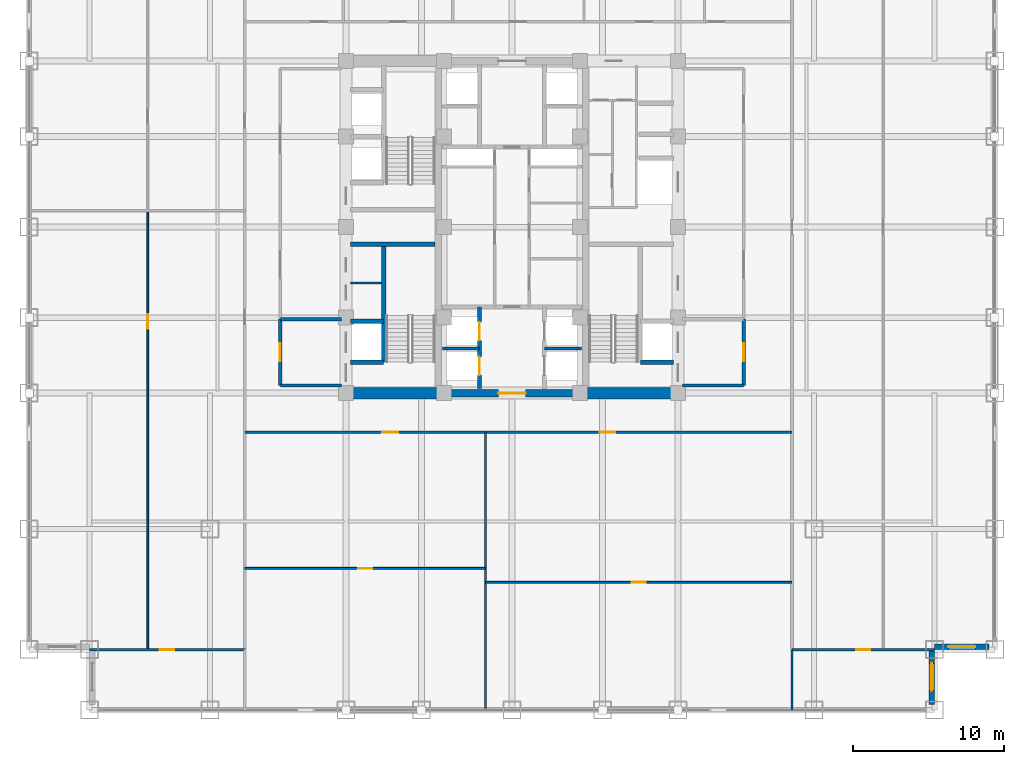
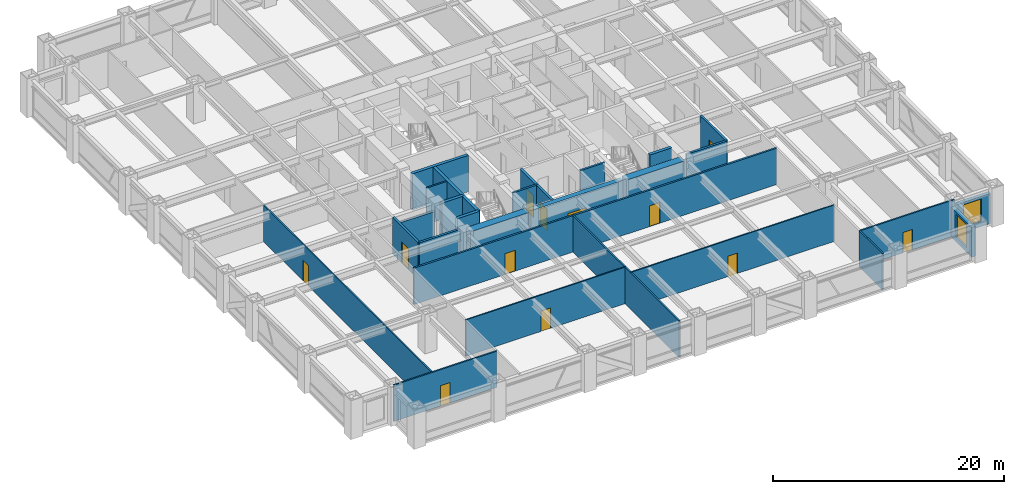
# One storey, part 23 of 27: 27 walls, 12 doors, 2 windows, 14 openings.
"""IFC4 building model written with IfcOpenShell, lengths in metres."""

from ifc_helpers import new_model, si_unit, direction, frame, frame_2d, origin, place, context, subcontext, project, spatial, rectangle, extrude, source, transform, mapped, material, layer, layer_set, type_object, element, fill, save


model = new_model("IFC4")

# Units and contexts
model_context = context("Model", 3, precision=1e-05, world=origin(), true_north=direction((0.0, 1.0)))
body_context = subcontext(model_context, "Body", "Model", "MODEL_VIEW")
ifc_project = project(units=[si_unit("LENGTHUNIT", "METRE"), si_unit("AREAUNIT", "SQUARE_METRE"), si_unit("VOLUMEUNIT", "CUBIC_METRE"), si_unit("PLANEANGLEUNIT", "RADIAN"), si_unit("MASSUNIT", "GRAM", prefix="KILO")], contexts=[model_context])

# Site, building, storey
site_placement = place(None, origin())
site = spatial("IfcSite", under=ifc_project, at=site_placement, CompositionType="ELEMENT")
building_placement = place(site_placement, origin())
building = spatial("IfcBuilding", under=site, at=building_placement, Name="Khorayat Bourse Tower", CompositionType="ELEMENT")
storey_placement = place(building_placement, frame((0.0, 0.0, 140.60009765625)))
storey = spatial("IfcBuildingStorey", under=building, at=storey_placement, Name="L32", CompositionType="ELEMENT", Elevation=140.60009765625)

# Walls
ifc_material_1 = material(Name="Concrete C72/90", Category="concrete")
ifc_layer_1 = layer(ifc_material_1, 0.75)
ifc_layer_set_1 = layer_set([ifc_layer_1], Name="Concrete C72/90")
wall_type_1 = type_object("IfcWallType", Name="WAL-CORE-750", PredefinedType="SHEAR", material=ifc_layer_set_1)
shared_shape_1 = source(origin(), body_context, "Body", "SweptSolid", [
    extrude(rectangle(XDim=5.849853515625, YDim=0.75, at=frame_2d((2.9248046875, 0.0))), origin(), (0.0, 0.0, 1.0), 3.83984375),
])
for number, where, z_axis, x_axis, name in (
    (1, (-10.699951171875, -11.0, 0.0), (0.0, 0.0, 1.0), (1.0, 0.0, 0.0), "L32 Core Shear Wall PIER-WS"),
    (2, (4.85009765625, -11.0, 0.0), (0.0, 0.0, 1.0), (1.0, 0.0, 0.0), "L32 Core Shear Wall PIER-ES"),
):
    element("IfcWall", number, at=place(storey_placement, frame(where, z_axis=z_axis, x_axis=x_axis)), inside=storey, type_object=wall_type_1, Name=name, PredefinedType="SHEAR", context=body_context, shape_type="MappedRepresentation", body=[
        mapped(shared_shape_1, transform((0.0, 0.0, 0.0), scale=1.0)),
    ])
ifc_material_2 = material(Name="Concrete C50/60", Category="concrete")
ifc_layer_2 = layer(ifc_material_2, 0.300048828125)
ifc_layer_set_2 = layer_set([ifc_layer_2], Name="Concrete C50/60")
wall_type_2 = type_object("IfcWallType", Name="WAL-SHAFT-300", PredefinedType="SHEAR", material=ifc_layer_set_2)
shared_shape_2 = source(origin(), body_context, "Body", "SweptSolid", [
    extrude(rectangle(XDim=5.599853515625, YDim=0.300048828125, at=frame_2d((2.7998046875, 0.0))), origin(), (0.0, 0.0, 1.0), 3.83984375),
])
wall_1_placement = place(storey_placement, frame((-10.699951171875, -1.14990234375, 0.0), z_axis=(0.0, 0.0, 1.0), x_axis=(1.0, 0.0, 0.0)))
element("IfcWall", 3, at=wall_1_placement, inside=storey, type_object=wall_type_2, Name="L32 Core Shear Wall ST1-DIV", PredefinedType="SHEAR", context=body_context, shape_type="MappedRepresentation", body=[
    mapped(shared_shape_2, transform((0.0, 0.0, 0.0), scale=1.0)),
])

# Wall, opening, door
ifc_material_3 = material(Name="Concrete C52/65", Category="concrete")
ifc_layer_3 = layer(ifc_material_3, 0.5)
ifc_layer_set_3 = layer_set([ifc_layer_3], Name="Concrete C52/65")
wall_type_3 = type_object("IfcWallType", Name="WAL-CORE-500", PredefinedType="SHEAR", material=ifc_layer_set_3)
shared_shape_3 = source(origin(), body_context, "Body", "SweptSolid", [
    extrude(rectangle(XDim=9.2001953125, YDim=0.5, at=frame_2d((4.60009765625, 0.0))), origin(), (0.0, 0.0, 1.0), 3.83984375),
])
wall_2_placement = place(storey_placement, frame((-4.60009765625, -11.0, 0.0), z_axis=(0.0, 0.0, 1.0), x_axis=(1.0, 0.0, 0.0)))
wall_2 = element("IfcWall", 4, at=wall_2_placement, inside=storey, type_object=wall_type_3, Name="L32 Core Shear Wall CORE-S", PredefinedType="SHEAR", context=body_context, shape_type="MappedRepresentation", body=[
    mapped(shared_shape_3, transform((0.0, 0.0, 0.0), scale=1.0)),
])
shared_shape_4 = source(origin(), body_context, "Body", "SweptSolid", [
    extrude(rectangle(XDim=1.800048828125, YDim=2.25, at=frame_2d((0.89990234375, 1.125))), frame((0.0, 0.260009765625, 0.0), z_axis=(0.0, -1.0, 0.0), x_axis=(1.0, 0.0, 0.0)), (0.0, 0.0, 1.0), 0.52001953125),
])
opening_1_placement = place(wall_2_placement, frame((3.699951171875, 0.0, 0.0)))
opening_1 = element("IfcOpeningElement", 5, at=opening_1_placement, cuts=wall_2, Name="Opening DI-03", PredefinedType="OPENING", context=body_context, shape_type="MappedRepresentation", body=[
    mapped(shared_shape_4, transform((0.0, 0.0, 0.0), scale=1.0)),
])
ifc_material_4 = material(Name="Fire-rated hardwood vision-panel double leaf", Category="wood")
door_type_1 = type_object("IfcDoorType", Name="DR-INT-CORR-1800", OperationType="NOTDEFINED", PredefinedType="DOOR", material=ifc_material_4)
shared_shape_5 = source(origin(), body_context, "Body", "SweptSolid", [
    extrude(rectangle(XDim=1.800048828125, YDim=2.25, at=frame_2d((0.89990234375, 1.125))), frame((0.0, 0.02490234375, 0.0), z_axis=(0.0, -1.0, 0.0), x_axis=(1.0, 0.0, 0.0)), (0.0, 0.0, 1.0), 0.050048828125),
])
door_1_placement = place(opening_1_placement, origin())
door_1 = element("IfcDoor", 6, at=door_1_placement, inside=storey, type_object=door_type_1, Name="L32 Low-Rise Lift Lobby Door", OperationType="SINGLE_SWING_LEFT", OverallHeight=2.25, OverallWidth=1.800048828125, PredefinedType="DOOR", context=body_context, shape_type="MappedRepresentation", body=[
    mapped(shared_shape_5, transform((0.0, 0.0, 0.0), scale=1.0)),
])
fill(opening_1, door_1)

# Wall, opening, window
ifc_material_5 = material(Name="Precast concrete C45/55", Category="concrete")
ifc_layer_4 = layer(ifc_material_5, 0.3798828125)
ifc_layer_set_4 = layer_set([ifc_layer_4], Name="Precast concrete C45/55")
wall_type_4 = type_object("IfcWallType", Name="WAL-EXT-STONE-380", PredefinedType="STANDARD", material=ifc_layer_set_4)
shared_shape_6 = source(origin(), body_context, "Body", "SweptSolid", [
    extrude(rectangle(XDim=3.6201171875, YDim=0.3798828125, at=frame_2d((1.81005859375, 0.0))), origin(), (0.0, 0.0, 1.0), 3.14501953125),
])
wall_3_placement = place(storey_placement, frame((27.81005859375, -31.6201171875, 0.0), z_axis=(0.0, 0.0, 1.0), x_axis=(0.0, 1.0, 0.0)))
wall_3 = element("IfcWall", 7, at=wall_3_placement, inside=storey, type_object=wall_type_4, Name="L32 Re-Entrant Notch Limestone Wall SE-V", PredefinedType="STANDARD", context=body_context, shape_type="MappedRepresentation", body=[
    mapped(shared_shape_6, transform((0.0, 0.0, 0.0), scale=1.0)),
])
shared_shape_7 = source(origin(), body_context, "Body", "SweptSolid", [
    extrude(rectangle(XDim=1.800048828125, YDim=2.39990234375, at=frame_2d((0.89990234375, 1.199951171875))), frame((0.0, 0.199951171875, 0.0), z_axis=(0.0, -1.0, 0.0), x_axis=(1.0, 0.0, 0.0)), (0.0, 0.0, 1.0), 0.39990234375),
])
opening_2_placement = place(wall_3_placement, frame((0.909912109375, 0.0, 0.5)))
opening_2 = element("IfcOpeningElement", 8, at=opening_2_placement, cuts=wall_3, Name="Opening WN-04", PredefinedType="OPENING", context=body_context, shape_type="MappedRepresentation", body=[
    mapped(shared_shape_7, transform((0.0, 0.0, 0.0), scale=1.0)),
])
ifc_material_6 = material(Name="Low-E acoustic laminated double glazing", Category="glass")
window_type = type_object("IfcWindowType", Name="WIN-NOTCH-1800x2400", PartitioningType="SINGLE_PANEL", PredefinedType="WINDOW", material=ifc_material_6)
shared_shape_8 = source(origin(), body_context, "Body", "SweptSolid", [
    extrude(rectangle(XDim=1.800048828125, YDim=2.39990234375, at=frame_2d((0.89990234375, 1.199951171875))), frame((0.0, 0.030029296875, 0.0), z_axis=(0.0, -1.0, 0.0), x_axis=(1.0, 0.0, 0.0)), (0.0, 0.0, 1.0), 0.06005859375),
])
window_1_placement = place(opening_2_placement, origin())
window_1 = element("IfcWindow", 9, at=window_1_placement, inside=storey, type_object=window_type, Name="L32 Facade Window 1", OverallHeight=2.39990234375, OverallWidth=1.800048828125, PartitioningType="SINGLE_PANEL", PredefinedType="WINDOW", context=body_context, shape_type="MappedRepresentation", body=[
    mapped(shared_shape_8, transform((0.0, 0.0, 0.0), scale=1.0)),
])
fill(opening_2, window_1)

wall_4_placement = place(storey_placement, frame((28.0, -27.81005859375, 0.0), z_axis=(0.0, 0.0, 1.0), x_axis=(1.0, 0.0, 0.0)))
wall_4 = element("IfcWall", 10, at=wall_4_placement, inside=storey, type_object=wall_type_4, Name="L32 Re-Entrant Notch Limestone Wall SE-H", PredefinedType="STANDARD", context=body_context, shape_type="MappedRepresentation", body=[
    mapped(shared_shape_6, transform((0.0, 0.0, 0.0), scale=1.0)),
])
opening_3_placement = place(wall_4_placement, frame((0.909912109375, 0.0, 0.5)))
opening_3 = element("IfcOpeningElement", 11, at=opening_3_placement, cuts=wall_4, Name="Opening WN-04", PredefinedType="OPENING", context=body_context, shape_type="MappedRepresentation", body=[
    mapped(shared_shape_7, transform((0.0, 0.0, 0.0), scale=1.0)),
])
window_2_placement = place(opening_3_placement, origin())
window_2 = element("IfcWindow", 12, at=window_2_placement, inside=storey, type_object=window_type, Name="L32 Facade Window 1", OverallHeight=2.39990234375, OverallWidth=1.800048828125, PartitioningType="SINGLE_PANEL", PredefinedType="WINDOW", context=body_context, shape_type="MappedRepresentation", body=[
    mapped(shared_shape_8, transform((0.0, 0.0, 0.0), scale=1.0)),
])
fill(opening_3, window_2)

# Walls
ifc_material_7 = material(Name="Aerated concrete blockwork", Category="masonry")
ifc_layer_5 = layer(ifc_material_7, 0.219970703125)
ifc_layer_set_5 = layer_set([ifc_layer_5], Name="Aerated concrete blockwork")
wall_type_5 = type_object("IfcWallType", Name="WAL-PART-FF-220", PredefinedType="PARTITIONING", material=ifc_layer_set_5)
shared_shape_9 = source(origin(), body_context, "Body", "SweptSolid", [
    extrude(rectangle(XDim=4.050048828125, YDim=0.219970703125, at=frame_2d((2.02490234375, 0.0))), origin(), (0.0, 0.0, 1.0), 3.06689453125),
])
wall_5_placement = place(storey_placement, frame((-15.35009765625, -6.10009765625, 0.0), z_axis=(0.0, 0.0, 1.0), x_axis=(1.0, 0.0, 0.0)))
element("IfcWall", 13, at=wall_5_placement, inside=storey, type_object=wall_type_5, Name="L32 Partition WAL-L32-FFLW-N", PredefinedType="PARTITIONING", context=body_context, shape_type="MappedRepresentation", body=[
    mapped(shared_shape_9, transform((0.0, 0.0, 0.0), scale=1.0)),
])
shared_shape_10 = source(origin(), body_context, "Body", "SweptSolid", [
    extrude(rectangle(XDim=7.800048828125, YDim=0.300048828125, at=frame_2d((3.89990234375, 0.0))), origin(), (0.0, 0.0, 1.0), 3.83984375),
])
wall_6_placement = place(storey_placement, frame((-8.5, -8.949951171875, 0.0), z_axis=(0.0, 0.0, 1.0), x_axis=(0.0, 1.0, 0.0)))
element("IfcWall", 14, at=wall_6_placement, inside=storey, type_object=wall_type_2, Name="L32 Partition WAL-L32-WPIER-SP", PredefinedType="SHEAR", context=body_context, shape_type="MappedRepresentation", body=[
    mapped(shared_shape_10, transform((0.0, 0.0, 0.0), scale=1.0)),
])
shared_shape_11 = source(origin(), body_context, "Body", "SweptSolid", [
    extrude(rectangle(XDim=2.199951171875, YDim=0.300048828125, at=frame_2d((1.10009765625, 0.0))), origin(), (0.0, 0.0, 1.0), 3.83984375),
])
for number, where, z_axis, x_axis, name in (
    (15, (-10.699951171875, -8.949951171875, 0.0), (0.0, 0.0, 1.0), (1.0, 0.0, 0.0), "L32 Partition WAL-L32-WPIER-FF1S"),
    (16, (-10.699951171875, -6.25, 0.0), (0.0, 0.0, 1.0), (1.0, 0.0, 0.0), "L32 Partition WAL-L32-WPIER-FF1N"),
    (17, (8.5, -8.949951171875, 0.0), (0.0, 0.0, 1.0), (1.0, 0.0, 0.0), "L32 Partition WAL-L32-EPIER-FF2S"),
):
    element("IfcWall", number, at=place(storey_placement, frame(where, z_axis=z_axis, x_axis=x_axis)), inside=storey, type_object=wall_type_2, Name=name, PredefinedType="SHEAR", context=body_context, shape_type="MappedRepresentation", body=[
        mapped(shared_shape_11, transform((0.0, 0.0, 0.0), scale=1.0)),
    ])
ifc_material_8 = material(Name="Gypsum plasterboard twin-frame partition")
ifc_layer_6 = layer(ifc_material_8, 0.14990234375)
ifc_layer_set_6 = layer_set([ifc_layer_6], Name="Gypsum plasterboard twin-frame partition")
wall_type_6 = type_object("IfcWallType", Name="WAL-PART-SUITE-150", PredefinedType="PARTITIONING", material=ifc_layer_set_6)
shared_shape_12 = source(origin(), body_context, "Body", "SweptSolid", [
    extrude(rectangle(XDim=2.050048828125, YDim=0.14990234375, at=frame_2d((1.02490234375, 0.0))), origin(), (0.0, 0.0, 1.0), 3.83984375),
])
wall_7_placement = place(storey_placement, frame((-10.699951171875, -3.699951171875, 0.0), z_axis=(0.0, 0.0, 1.0), x_axis=(1.0, 0.0, 0.0)))
element("IfcWall", 18, at=wall_7_placement, inside=storey, type_object=wall_type_6, Name="L32 Partition WAL-L32-WSRV-D1", PredefinedType="PARTITIONING", context=body_context, shape_type="MappedRepresentation", body=[
    mapped(shared_shape_12, transform((0.0, 0.0, 0.0), scale=1.0)),
])
shared_shape_13 = source(origin(), body_context, "Body", "SweptSolid", [
    extrude(rectangle(XDim=4.050048828125, YDim=0.219970703125, at=frame_2d((2.02490234375, 0.0))), origin(), (0.0, 0.0, 1.0), 3.83984375),
])
for number, where, z_axis, x_axis, name in (
    (19, (-15.35009765625, -10.5, 0.0), (0.0, 0.0, 1.0), (1.0, 0.0, 0.0), "L32 Partition WAL-L32-FFLW-S"),
    (20, (11.300048828125, -10.5, 0.0), (0.0, 0.0, 1.0), (1.0, 0.0, 0.0), "L32 Partition WAL-L32-FFLE-S"),
):
    element("IfcWall", number, at=place(storey_placement, frame(where, z_axis=z_axis, x_axis=x_axis)), inside=storey, type_object=wall_type_5, Name=name, PredefinedType="PARTITIONING", context=body_context, shape_type="MappedRepresentation", body=[
        mapped(shared_shape_13, transform((0.0, 0.0, 0.0), scale=1.0)),
    ])

# Wall, opening, door
shared_shape_14 = source(origin(), body_context, "Body", "SweptSolid", [
    extrude(rectangle(XDim=4.39990234375, YDim=0.219970703125, at=frame_2d((2.199951171875, 0.0))), origin(), (0.0, 0.0, 1.0), 3.83984375),
])
wall_8_placement = place(storey_placement, frame((-15.35009765625, -10.5, 0.0), z_axis=(0.0, 0.0, 1.0), x_axis=(0.0, 1.0, 0.0)))
wall_8 = element("IfcWall", 21, at=wall_8_placement, inside=storey, type_object=wall_type_5, Name="L32 Partition WAL-L32-FFLW-W", PredefinedType="PARTITIONING", context=body_context, shape_type="MappedRepresentation", body=[
    mapped(shared_shape_14, transform((0.0, 0.0, 0.0), scale=1.0)),
])
shared_shape_15 = source(origin(), body_context, "Body", "SweptSolid", [
    extrude(rectangle(XDim=1.199951171875, YDim=2.199951171875, at=frame_2d((0.60009765625, 1.10009765625))), frame((0.0, 0.119873046875, 0.0), z_axis=(0.0, -1.0, 0.0), x_axis=(1.0, 0.0, 0.0)), (0.0, 0.0, 1.0), 0.239990234375),
])
opening_4_placement = place(wall_8_placement, frame((1.60009765625, 0.0, 0.0)))
opening_4 = element("IfcOpeningElement", 22, at=opening_4_placement, cuts=wall_8, Name="Opening DI-02", PredefinedType="OPENING", context=body_context, shape_type="MappedRepresentation", body=[
    mapped(shared_shape_15, transform((0.0, 0.0, 0.0), scale=1.0)),
])
ifc_material_9 = material(Name="Fire-rated steel double-seal leaf", Category="steel")
door_type_2 = type_object("IfcDoorType", Name="DR-INT-FFLOBBY-1200", OperationType="NOTDEFINED", PredefinedType="DOOR", material=ifc_material_9)
shared_shape_16 = source(origin(), body_context, "Body", "SweptSolid", [
    extrude(rectangle(XDim=1.199951171875, YDim=2.199951171875, at=frame_2d((0.60009765625, 1.10009765625))), frame((0.0, 0.02490234375, 0.0), z_axis=(0.0, -1.0, 0.0), x_axis=(1.0, 0.0, 0.0)), (0.0, 0.0, 1.0), 0.050048828125),
])
door_2_placement = place(opening_4_placement, origin())
door_2 = element("IfcDoor", 23, at=door_2_placement, inside=storey, type_object=door_type_2, Name="L32 West Firefighting Lobby Door", OperationType="SINGLE_SWING_LEFT", OverallHeight=2.199951171875, OverallWidth=1.199951171875, PredefinedType="DOOR", context=body_context, shape_type="MappedRepresentation", body=[
    mapped(shared_shape_16, transform((0.0, 0.0, 0.0), scale=1.0)),
])
fill(opening_4, door_2)

wall_9_placement = place(storey_placement, frame((15.35009765625, -10.5, 0.0), z_axis=(0.0, 0.0, 1.0), x_axis=(0.0, 1.0, 0.0)))
wall_9 = element("IfcWall", 24, at=wall_9_placement, inside=storey, type_object=wall_type_5, Name="L32 Partition WAL-L32-FFLE-E", PredefinedType="PARTITIONING", context=body_context, shape_type="MappedRepresentation", body=[
    mapped(shared_shape_14, transform((0.0, 0.0, 0.0), scale=1.0)),
])
opening_5_placement = place(wall_9_placement, frame((1.60009765625, 0.0, 0.0)))
opening_5 = element("IfcOpeningElement", 25, at=opening_5_placement, cuts=wall_9, Name="Opening DI-02", PredefinedType="OPENING", context=body_context, shape_type="MappedRepresentation", body=[
    mapped(shared_shape_15, transform((0.0, 0.0, 0.0), scale=1.0)),
])
door_3_placement = place(opening_5_placement, origin())
door_3 = element("IfcDoor", 26, at=door_3_placement, inside=storey, type_object=door_type_2, Name="L32 East Firefighting Lobby Door", OperationType="SINGLE_SWING_RIGHT", OverallHeight=2.199951171875, OverallWidth=1.199951171875, PredefinedType="DOOR", context=body_context, shape_type="MappedRepresentation", body=[
    mapped(shared_shape_16, transform((0.0, 0.0, 0.0), scale=1.0)),
])
fill(opening_5, door_3)

# Wall, openings, doors
shared_shape_17 = source(origin(), body_context, "Body", "SweptSolid", [
    extrude(rectangle(XDim=5.39990234375, YDim=0.25, at=frame_2d((2.699951171875, 0.0))), origin(), (0.0, 0.0, 1.0), 3.83984375),
])
wall_10_placement = place(storey_placement, frame((-2.14990234375, -10.699951171875, 0.0), z_axis=(0.0, 0.0, 1.0), x_axis=(0.0, 1.0, 0.0)))
wall_10 = element("IfcWall", 27, at=wall_10_placement, inside=storey, type_object=wall_type_2, Name="L32 Partition WAL-L32-B1-W", PredefinedType="SHEAR", context=body_context, shape_type="MappedRepresentation", body=[
    mapped(shared_shape_17, transform((0.0, 0.0, 0.0), scale=1.0)),
])
shared_shape_18 = source(origin(), body_context, "Body", "SweptSolid", [
    extrude(rectangle(XDim=1.199951171875, YDim=2.300048828125, at=frame_2d((0.60009765625, 1.14990234375))), frame((0.0, 0.135009765625, 0.0), z_axis=(0.0, -1.0, 0.0), x_axis=(1.0, 0.0, 0.0)), (0.0, 0.0, 1.0), 0.27001953125),
])
opening_6_placement = place(wall_10_placement, frame((0.89990234375, 0.0, 0.0)))
opening_6 = element("IfcOpeningElement", 28, at=opening_6_placement, cuts=wall_10, Name="Opening LD-01", PredefinedType="OPENING", context=body_context, shape_type="MappedRepresentation", body=[
    mapped(shared_shape_18, transform((0.0, 0.0, 0.0), scale=1.0)),
])
opening_7_placement = place(wall_10_placement, frame((3.199951171875, 0.0, 0.0)))
opening_7 = element("IfcOpeningElement", 29, at=opening_7_placement, cuts=wall_10, Name="Opening LD-01", PredefinedType="OPENING", context=body_context, shape_type="MappedRepresentation", body=[
    mapped(shared_shape_18, transform((0.0, 0.0, 0.0), scale=1.0)),
])
ifc_material_10 = material(Name="Brushed bronze stainless-steel sliding door", Category="steel")
door_type_3 = type_object("IfcDoorType", Name="DR-LIFT-PASS-1200", OperationType="NOTDEFINED", PredefinedType="DOOR", material=ifc_material_10)
shared_shape_19 = source(origin(), body_context, "Body", "SweptSolid", [
    extrude(rectangle(XDim=1.199951171875, YDim=2.300048828125, at=frame_2d((0.60009765625, 1.14990234375))), frame((0.0, 0.02490234375, 0.0), z_axis=(0.0, -1.0, 0.0), x_axis=(1.0, 0.0, 0.0)), (0.0, 0.0, 1.0), 0.050048828125),
])
door_4_placement = place(opening_6_placement, origin())
door_4 = element("IfcDoor", 30, at=door_4_placement, inside=storey, type_object=door_type_3, Name="L32 Lift PL-L1 Sliding Landing Door", OperationType="SLIDING_TO_LEFT", OverallHeight=2.300048828125, OverallWidth=1.199951171875, PredefinedType="DOOR", context=body_context, shape_type="MappedRepresentation", body=[
    mapped(shared_shape_19, transform((0.0, 0.0, 0.0), scale=1.0)),
])
fill(opening_6, door_4)
door_5_placement = place(opening_7_placement, origin())
door_5 = element("IfcDoor", 31, at=door_5_placement, inside=storey, type_object=door_type_3, Name="L32 Lift PL-L3 Sliding Landing Door", OperationType="SLIDING_TO_LEFT", OverallHeight=2.300048828125, OverallWidth=1.199951171875, PredefinedType="DOOR", context=body_context, shape_type="MappedRepresentation", body=[
    mapped(shared_shape_19, transform((0.0, 0.0, 0.0), scale=1.0)),
])
fill(opening_7, door_5)

# Walls
shared_shape_20 = source(origin(), body_context, "Body", "SweptSolid", [
    extrude(rectangle(XDim=2.4501953125, YDim=0.199951171875, at=frame_2d((1.22509765625, 0.0))), origin(), (0.0, 0.0, 1.0), 3.83984375),
])
for number, where, z_axis, x_axis, name in (
    (32, (-4.60009765625, -8.050048828125, 0.0), (0.0, 0.0, 1.0), (1.0, 0.0, 0.0), "L32 Partition WAL-L32-B1-MW"),
    (33, (2.14990234375, -8.050048828125, 0.0), (0.0, 0.0, 1.0), (1.0, 0.0, 0.0), "L32 Partition WAL-L32-B1-ME"),
):
    element("IfcWall", number, at=place(storey_placement, frame(where, z_axis=z_axis, x_axis=x_axis)), inside=storey, type_object=wall_type_2, Name=name, PredefinedType="SHEAR", context=body_context, shape_type="MappedRepresentation", body=[
        mapped(shared_shape_20, transform((0.0, 0.0, 0.0), scale=1.0)),
    ])
shared_shape_21 = source(origin(), body_context, "Body", "SweptSolid", [
    extrude(rectangle(XDim=4.0, YDim=0.14990234375, at=frame_2d((2.0, 0.0))), origin(), (0.0, 0.0, 1.0), 3.83984375),
])
wall_11_placement = place(storey_placement, frame((18.550048828125, -32.0, 0.0), z_axis=(0.0, 0.0, 1.0), x_axis=(0.0, 1.0, 0.0)))
element("IfcWall", 34, at=wall_11_placement, inside=storey, type_object=wall_type_6, Name="L32 Partition WAL-L32-SCE-END", PredefinedType="PARTITIONING", context=body_context, shape_type="MappedRepresentation", body=[
    mapped(shared_shape_21, transform((0.0, 0.0, 0.0), scale=1.0)),
])

# Wall, opening, door
shared_shape_22 = source(origin(), body_context, "Body", "SweptSolid", [
    extrude(rectangle(XDim=10.300048828125, YDim=0.14990234375, at=frame_2d((5.14990234375, 0.0))), origin(), (0.0, 0.0, 1.0), 3.83984375),
])
wall_12_placement = place(storey_placement, frame((-28.0, -28.0, 0.0), z_axis=(0.0, 0.0, 1.0), x_axis=(1.0, 0.0, 0.0)))
wall_12 = element("IfcWall", 35, at=wall_12_placement, inside=storey, type_object=wall_type_6, Name="L32 Partition WAL-L32-CSW", PredefinedType="PARTITIONING", context=body_context, shape_type="MappedRepresentation", body=[
    mapped(shared_shape_22, transform((0.0, 0.0, 0.0), scale=1.0)),
])
shared_shape_23 = source(origin(), body_context, "Body", "SweptSolid", [
    extrude(rectangle(XDim=0.949951171875, YDim=2.14990234375, at=frame_2d((0.47509765625, 1.074951171875))), frame((0.0, 0.0849609375, 0.0), z_axis=(0.0, -1.0, 0.0), x_axis=(1.0, 0.0, 0.0)), (0.0, 0.0, 1.0), 0.169921875),
])
opening_8_placement = place(wall_12_placement, frame((4.675048828125, 0.0, 0.0)))
opening_8 = element("IfcOpeningElement", 36, at=opening_8_placement, cuts=wall_12, Name="Opening DI-05", PredefinedType="OPENING", context=body_context, shape_type="MappedRepresentation", body=[
    mapped(shared_shape_23, transform((0.0, 0.0, 0.0), scale=1.0)),
])
ifc_material_11 = material(Name="Acoustic oak veneer office door")
door_type_4 = type_object("IfcDoorType", Name="DR-INT-OFFICE-950", OperationType="NOTDEFINED", PredefinedType="DOOR", material=ifc_material_11)
shared_shape_24 = source(origin(), body_context, "Body", "SweptSolid", [
    extrude(rectangle(XDim=0.949951171875, YDim=2.14990234375, at=frame_2d((0.47509765625, 1.074951171875))), frame((0.0, 0.02490234375, 0.0), z_axis=(0.0, -1.0, 0.0), x_axis=(1.0, 0.0, 0.0)), (0.0, 0.0, 1.0), 0.050048828125),
])
door_6_placement = place(opening_8_placement, origin())
door_6 = element("IfcDoor", 37, at=door_6_placement, inside=storey, type_object=door_type_4, Name="L32 South-West Corner Office Door", OperationType="SINGLE_SWING_LEFT", OverallHeight=2.14990234375, OverallWidth=0.949951171875, PredefinedType="DOOR", context=body_context, shape_type="MappedRepresentation", body=[
    mapped(shared_shape_24, transform((0.0, 0.0, 0.0), scale=1.0)),
])
fill(opening_8, door_6)

# Wall
shared_shape_25 = source(origin(), body_context, "Body", "SweptSolid", [
    extrude(rectangle(XDim=18.39990234375, YDim=0.14990234375, at=frame_2d((9.199951171875, 0.0))), origin(), (0.0, 0.0, 1.0), 3.83984375),
])
wall_13_placement = place(storey_placement, frame((-1.75, -32.0, 0.0), z_axis=(0.0, 0.0, 1.0), x_axis=(0.0, 1.0, 0.0)))
element("IfcWall", 38, at=wall_13_placement, inside=storey, type_object=wall_type_6, Name="L32 Partition WAL-L32-SDV-1", PredefinedType="PARTITIONING", context=body_context, shape_type="MappedRepresentation", body=[
    mapped(shared_shape_25, transform((0.0, 0.0, 0.0), scale=1.0)),
])

# Wall, openings, doors
ifc_material_12 = material(Name="Gypsum plasterboard acoustic stud wall")
ifc_layer_7 = layer(ifc_material_12, 0.179931640625)
ifc_layer_set_7 = layer_set([ifc_layer_7], Name="Gypsum plasterboard acoustic stud wall")
wall_type_7 = type_object("IfcWallType", Name="WAL-PART-CORR-180", PredefinedType="PARTITIONING", material=ifc_layer_set_7)
shared_shape_26 = source(origin(), body_context, "Body", "SweptSolid", [
    extrude(rectangle(XDim=36.25, YDim=0.179931640625, at=frame_2d((18.125, 0.0))), origin(), (0.0, 0.0, 1.0), 3.83984375),
])
wall_14_placement = place(storey_placement, frame((-17.699951171875, -13.60009765625, 0.0), z_axis=(0.0, 0.0, 1.0), x_axis=(1.0, 0.0, 0.0)))
wall_14 = element("IfcWall", 39, at=wall_14_placement, inside=storey, type_object=wall_type_7, Name="L32 Partition WAL-L32-SCORR", PredefinedType="PARTITIONING", context=body_context, shape_type="MappedRepresentation", body=[
    mapped(shared_shape_26, transform((0.0, 0.0, 0.0), scale=1.0)),
])
shared_shape_27 = source(origin(), body_context, "Body", "SweptSolid", [
    extrude(rectangle(XDim=1.050048828125, YDim=2.199951171875, at=frame_2d((0.52490234375, 1.10009765625))), frame((0.0, 0.099853515625, 0.0), z_axis=(0.0, -1.0, 0.0), x_axis=(1.0, 0.0, 0.0)), (0.0, 0.0, 1.0), 0.199951171875),
])
opening_9_placement = place(wall_14_placement, frame((9.10009765625, 0.0, 0.0)))
opening_9 = element("IfcOpeningElement", 40, at=opening_9_placement, cuts=wall_14, Name="Opening DI-04", PredefinedType="OPENING", context=body_context, shape_type="MappedRepresentation", body=[
    mapped(shared_shape_27, transform((0.0, 0.0, 0.0), scale=1.0)),
])
opening_10_placement = place(wall_14_placement, frame((23.5, 0.0, 0.0)))
opening_10 = element("IfcOpeningElement", 41, at=opening_10_placement, cuts=wall_14, Name="Opening DI-04", PredefinedType="OPENING", context=body_context, shape_type="MappedRepresentation", body=[
    mapped(shared_shape_27, transform((0.0, 0.0, 0.0), scale=1.0)),
])
ifc_material_13 = material(Name="Fire-rated oak veneer suite entrance door")
door_type_5 = type_object("IfcDoorType", Name="DR-INT-SUITE-1050", OperationType="NOTDEFINED", PredefinedType="DOOR", material=ifc_material_13)
shared_shape_28 = source(origin(), body_context, "Body", "SweptSolid", [
    extrude(rectangle(XDim=1.050048828125, YDim=2.199951171875, at=frame_2d((0.52490234375, 1.10009765625))), frame((0.0, 0.02490234375, 0.0), z_axis=(0.0, -1.0, 0.0), x_axis=(1.0, 0.0, 0.0)), (0.0, 0.0, 1.0), 0.050048828125),
])
door_7_placement = place(opening_9_placement, origin())
door_7 = element("IfcDoor", 42, at=door_7_placement, inside=storey, type_object=door_type_5, Name="L32 Clearing Operations Office S1 Door", OperationType="SINGLE_SWING_RIGHT", OverallHeight=2.199951171875, OverallWidth=1.050048828125, PredefinedType="DOOR", context=body_context, shape_type="MappedRepresentation", body=[
    mapped(shared_shape_28, transform((0.0, 0.0, 0.0), scale=1.0)),
])
fill(opening_9, door_7)
door_8_placement = place(opening_10_placement, origin())
door_8 = element("IfcDoor", 43, at=door_8_placement, inside=storey, type_object=door_type_5, Name="L32 Equities Trading Desk S2 Door", OperationType="SINGLE_SWING_LEFT", OverallHeight=2.199951171875, OverallWidth=1.050048828125, PredefinedType="DOOR", context=body_context, shape_type="MappedRepresentation", body=[
    mapped(shared_shape_28, transform((0.0, 0.0, 0.0), scale=1.0)),
])
fill(opening_10, door_8)

# Wall, opening, door
shared_shape_29 = source(origin(), body_context, "Body", "SweptSolid", [
    extrude(rectangle(XDim=9.449951171875, YDim=0.14990234375, at=frame_2d((4.72509765625, 0.0))), origin(), (0.0, 0.0, 1.0), 3.83984375),
])
wall_15_placement = place(storey_placement, frame((18.550048828125, -28.0, 0.0), z_axis=(0.0, 0.0, 1.0), x_axis=(1.0, 0.0, 0.0)))
wall_15 = element("IfcWall", 44, at=wall_15_placement, inside=storey, type_object=wall_type_6, Name="L32 Partition WAL-L32-CSE", PredefinedType="PARTITIONING", context=body_context, shape_type="MappedRepresentation", body=[
    mapped(shared_shape_29, transform((0.0, 0.0, 0.0), scale=1.0)),
])
opening_11_placement = place(wall_15_placement, frame((4.25, 0.0, 0.0)))
opening_11 = element("IfcOpeningElement", 45, at=opening_11_placement, cuts=wall_15, Name="Opening DI-05", PredefinedType="OPENING", context=body_context, shape_type="MappedRepresentation", body=[
    mapped(shared_shape_23, transform((0.0, 0.0, 0.0), scale=1.0)),
])
door_9_placement = place(opening_11_placement, origin())
door_9 = element("IfcDoor", 46, at=door_9_placement, inside=storey, type_object=door_type_4, Name="L32 South-East Corner Briefing Room Door", OperationType="SINGLE_SWING_LEFT", OverallHeight=2.14990234375, OverallWidth=0.949951171875, PredefinedType="DOOR", context=body_context, shape_type="MappedRepresentation", body=[
    mapped(shared_shape_24, transform((0.0, 0.0, 0.0), scale=1.0)),
])
fill(opening_11, door_9)

ifc_material_14 = material(Name="Gypsum plasterboard partition")
ifc_layer_8 = layer(ifc_material_14, 0.125)
ifc_layer_set_8 = layer_set([ifc_layer_8], Name="Gypsum plasterboard partition")
wall_type_8 = type_object("IfcWallType", Name="WAL-PART-ROOM-125", PredefinedType="PARTITIONING", material=ifc_layer_set_8)
shared_shape_30 = source(origin(), body_context, "Body", "SweptSolid", [
    extrude(rectangle(XDim=15.949951171875, YDim=0.125, at=frame_2d((7.97509765625, 0.0))), origin(), (0.0, 0.0, 1.0), 3.83984375),
])
wall_16_placement = place(storey_placement, frame((-17.699951171875, -22.615966796875, 0.0), z_axis=(0.0, 0.0, 1.0), x_axis=(1.0, 0.0, 0.0)))
wall_16 = element("IfcWall", 47, at=wall_16_placement, inside=storey, type_object=wall_type_8, Name="L32 Partition WAL-L32-SDP-1", PredefinedType="PARTITIONING", context=body_context, shape_type="MappedRepresentation", body=[
    mapped(shared_shape_30, transform((0.0, 0.0, 0.0), scale=1.0)),
])
shared_shape_31 = source(origin(), body_context, "Body", "SweptSolid", [
    extrude(rectangle(XDim=0.949951171875, YDim=2.14990234375, at=frame_2d((0.47509765625, 1.074951171875))), frame((0.0, 0.072509765625, 0.0), z_axis=(0.0, -1.0, 0.0), x_axis=(1.0, 0.0, 0.0)), (0.0, 0.0, 1.0), 0.14501953125),
])
opening_12_placement = place(wall_16_placement, frame((7.5, 0.0, 0.0)))
opening_12 = element("IfcOpeningElement", 48, at=opening_12_placement, cuts=wall_16, Name="Opening DI-05", PredefinedType="OPENING", context=body_context, shape_type="MappedRepresentation", body=[
    mapped(shared_shape_31, transform((0.0, 0.0, 0.0), scale=1.0)),
])
door_10_placement = place(opening_12_placement, origin())
door_10 = element("IfcDoor", 49, at=door_10_placement, inside=storey, type_object=door_type_4, Name="L32 Market Risk Analytics Workspace S1B Door", OperationType="SINGLE_SWING_RIGHT", OverallHeight=2.14990234375, OverallWidth=0.949951171875, PredefinedType="DOOR", context=body_context, shape_type="MappedRepresentation", body=[
    mapped(shared_shape_24, transform((0.0, 0.0, 0.0), scale=1.0)),
])
fill(opening_12, door_10)

shared_shape_32 = source(origin(), body_context, "Body", "SweptSolid", [
    extrude(rectangle(XDim=20.300048828125, YDim=0.125, at=frame_2d((10.14990234375, 0.0))), origin(), (0.0, 0.0, 1.0), 3.83984375),
])
wall_17_placement = place(storey_placement, frame((-1.75, -23.535888671875, 0.0), z_axis=(0.0, 0.0, 1.0), x_axis=(1.0, 0.0, 0.0)))
wall_17 = element("IfcWall", 50, at=wall_17_placement, inside=storey, type_object=wall_type_8, Name="L32 Partition WAL-L32-SDP-2", PredefinedType="PARTITIONING", context=body_context, shape_type="MappedRepresentation", body=[
    mapped(shared_shape_32, transform((0.0, 0.0, 0.0), scale=1.0)),
])
opening_13_placement = place(wall_17_placement, frame((9.675048828125, 0.0, 0.0)))
opening_13 = element("IfcOpeningElement", 51, at=opening_13_placement, cuts=wall_17, Name="Opening DI-05", PredefinedType="OPENING", context=body_context, shape_type="MappedRepresentation", body=[
    mapped(shared_shape_31, transform((0.0, 0.0, 0.0), scale=1.0)),
])
door_11_placement = place(opening_13_placement, origin())
door_11 = element("IfcDoor", 52, at=door_11_placement, inside=storey, type_object=door_type_4, Name="L32 Executive Boardroom S2B Door", OperationType="SINGLE_SWING_LEFT", OverallHeight=2.14990234375, OverallWidth=0.949951171875, PredefinedType="DOOR", context=body_context, shape_type="MappedRepresentation", body=[
    mapped(shared_shape_24, transform((0.0, 0.0, 0.0), scale=1.0)),
])
fill(opening_13, door_11)

shared_shape_33 = source(origin(), body_context, "Body", "SweptSolid", [
    extrude(rectangle(XDim=29.087890625, YDim=0.125, at=frame_2d((14.5439453125, 0.0))), origin(), (0.0, 0.0, 1.0), 3.83984375),
])
wall_18_placement = place(storey_placement, frame((-24.135009765625, -28.0, 0.0), z_axis=(0.0, 0.0, 1.0), x_axis=(0.0, 1.0, 0.0)))
wall_18 = element("IfcWall", 53, at=wall_18_placement, inside=storey, type_object=wall_type_8, Name="L32 Partition WAL-L32-WDP-1", PredefinedType="PARTITIONING", context=body_context, shape_type="MappedRepresentation", body=[
    mapped(shared_shape_33, transform((0.0, 0.0, 0.0), scale=1.0)),
])
opening_14_placement = place(wall_18_placement, frame((21.26904296875, 0.0, 0.0)))
opening_14 = element("IfcOpeningElement", 54, at=opening_14_placement, cuts=wall_18, Name="Opening DI-05", PredefinedType="OPENING", context=body_context, shape_type="MappedRepresentation", body=[
    mapped(shared_shape_31, transform((0.0, 0.0, 0.0), scale=1.0)),
])
door_12_placement = place(opening_14_placement, origin())
door_12 = element("IfcDoor", 55, at=door_12_placement, inside=storey, type_object=door_type_4, Name="L32 Occupational First Aid Clinic W1B Door", OperationType="SINGLE_SWING_RIGHT", OverallHeight=2.14990234375, OverallWidth=0.949951171875, PredefinedType="DOOR", context=body_context, shape_type="MappedRepresentation", body=[
    mapped(shared_shape_24, transform((0.0, 0.0, 0.0), scale=1.0)),
])
fill(opening_14, door_12)

save(model, "model.ifc")
